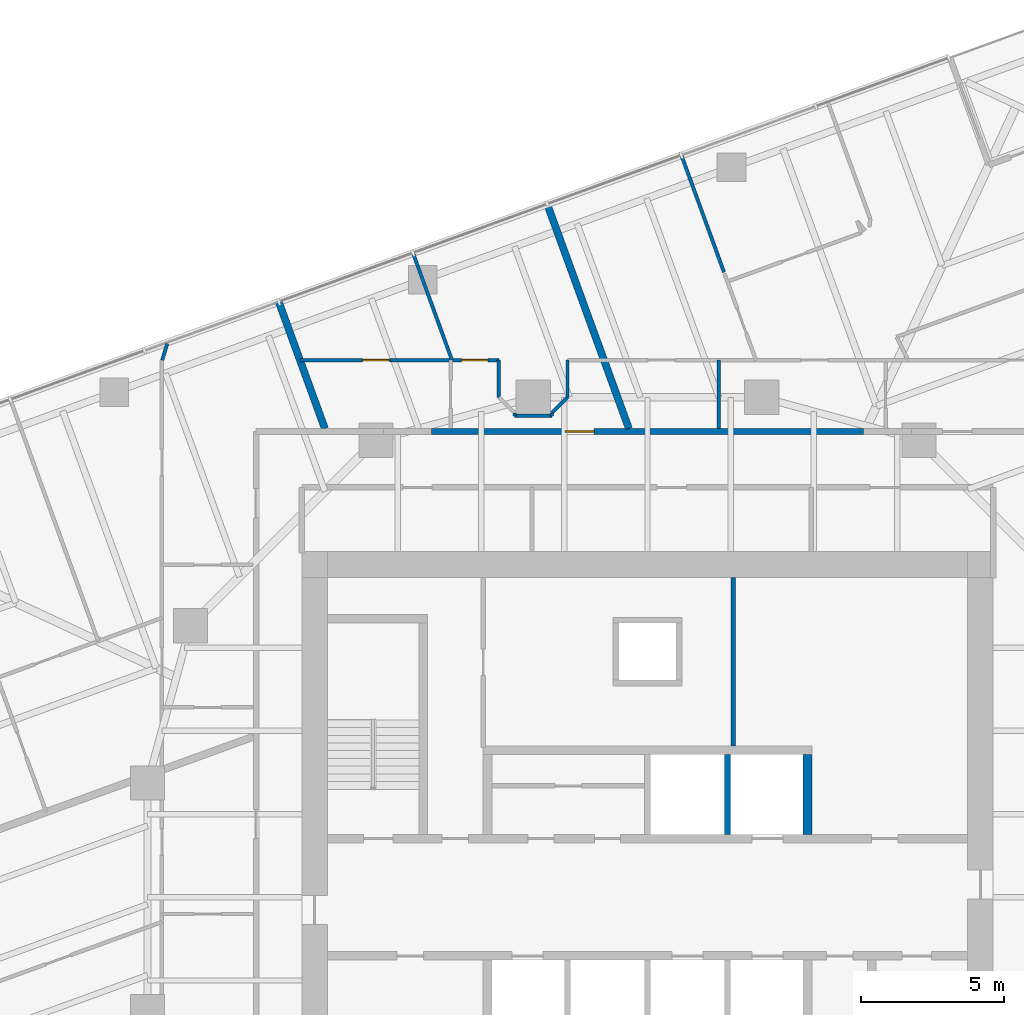
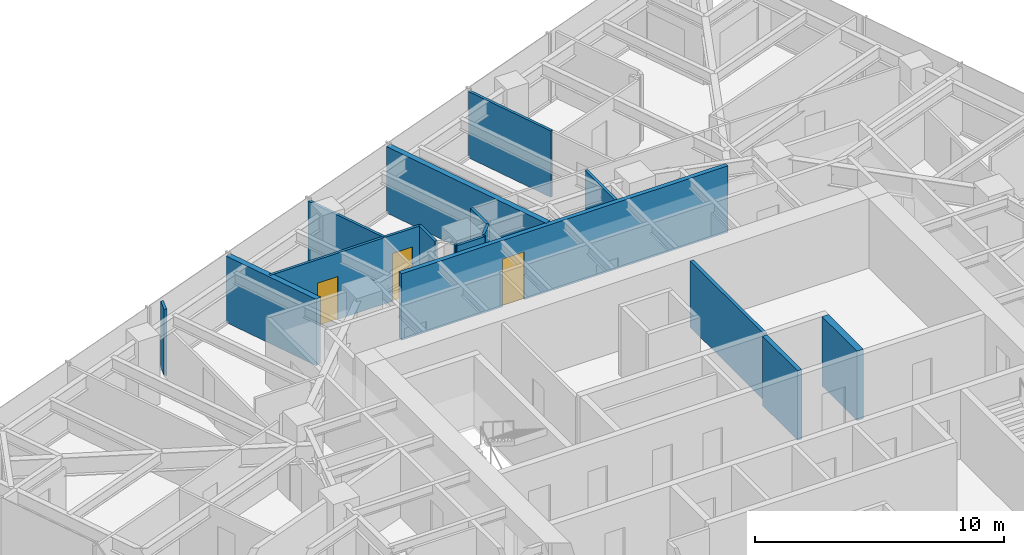
# One storey, part 11 of 13: 17 walls, 3 doors, 3 openings.
"""IFC4 building model written with IfcOpenShell, lengths in metres."""

import ifcopenshell
import ifcopenshell.guid

model = None  # the IFC model being written
_history = None  # IfcOwnerHistory: only IFC2X3 demands one
_inside = {}  # id of a spatial element -> (the spatial element, [elements in it])
_under = {}  # id of a project, library or spatial element -> (it, [spatial elements below it])
_declared = {}  # id of a project -> (the project, [libraries it declares])
_typed = {}  # id of a type object -> (the type object, [elements of that type])
_made_of = {}  # id of a material, layer set ... -> (it, [elements and type objects made of it])


def new_model(schema):
    """Start an empty IFC model of exactly this schema.

    Asked for "IFC4X3", IfcOpenShell would pick the latest addendum, in which some entities
    have other attributes; the version numbers below select the first issue.
    IFC2X3 requires an IfcOwnerHistory on every rooted entity: one is made here for all.
    """
    global model, _history
    if schema == "IFC4X3":
        model = ifcopenshell.file(schema_version=(4, 3, 0, 0))
    else:
        model = ifcopenshell.file(schema=schema)
    _inside.clear()
    _under.clear()
    _declared.clear()
    _typed.clear()
    _made_of.clear()
    _history = None
    if model.schema == "IFC2X3":
        org = make("IfcOrganization", Name="unknown")
        user = make(
            "IfcPersonAndOrganization",
            ThePerson=make("IfcPerson", FamilyName="unknown"),
            TheOrganization=org,
        )
        app = make(
            "IfcApplication",
            ApplicationDeveloper=org,
            Version="unknown",
            ApplicationFullName="unknown",
            ApplicationIdentifier="unknown",
        )
        _history = make(
            "IfcOwnerHistory",
            OwningUser=user,
            OwningApplication=app,
            ChangeAction="ADDED",
            CreationDate=0,
        )
    return model


def make(cls, **values):
    """One entity of the class cls with the attributes given. An attribute that is None is left unset."""
    return model.create_entity(
        cls, **{name: value for name, value in values.items() if value is not None}
    )


def rooted(cls, **values):
    """An entity with a GlobalId (a new one), such as an element, a storey or a relation."""
    return make(cls, GlobalId=ifcopenshell.guid.new(), OwnerHistory=_history, **values)


def si_unit(unit_type, name, prefix=None):
    """IfcSIUnit, for example si_unit("LENGTHUNIT", "METRE", prefix="MILLI")."""
    return make("IfcSIUnit", UnitType=unit_type, Prefix=prefix, Name=name)


def assignment(units):
    """IfcUnitAssignment: the units of a project."""
    return None if units is None else make("IfcUnitAssignment", Units=units)


def point(xyz):
    """IfcCartesianPoint."""
    return None if xyz is None else make("IfcCartesianPoint", Coordinates=xyz)


def direction(xyz):
    """IfcDirection."""
    return None if xyz is None else make("IfcDirection", DirectionRatios=xyz)


def frame(location, z_axis=None, x_axis=None):
    """IfcAxis2Placement3D, a coordinate frame: its origin and axes. An axis left out is left unset."""
    return make(
        "IfcAxis2Placement3D",
        Location=point(location),
        Axis=direction(z_axis),
        RefDirection=direction(x_axis),
    )


def frame_2d(location, x_axis=None):
    """IfcAxis2Placement2D, a coordinate frame in the plane: its origin and x axis."""
    return make(
        "IfcAxis2Placement2D", Location=point(location), RefDirection=direction(x_axis)
    )


def origin():
    """The frame at (0, 0, 0) with its axes left unset."""
    return frame((0.0, 0.0, 0.0))


def place(relative_to, where):
    """IfcLocalPlacement: puts the frame where relative to a parent placement (None: the world)."""
    return make(
        "IfcLocalPlacement", PlacementRelTo=relative_to, RelativePlacement=where
    )


def context(
    kind, dimensions, precision=None, world=None, true_north=None, identifier=None
):
    """IfcGeometricRepresentationContext, for example the 3D "Model" context."""
    return make(
        "IfcGeometricRepresentationContext",
        ContextIdentifier=identifier,
        ContextType=kind,
        CoordinateSpaceDimension=dimensions,
        Precision=precision,
        WorldCoordinateSystem=world,
        TrueNorth=true_north,
    )


def subcontext(parent, identifier, kind, view, scale=None):
    """IfcGeometricRepresentationSubContext, for example "Body" below "Model"."""
    return make(
        "IfcGeometricRepresentationSubContext",
        ContextIdentifier=identifier,
        ContextType=kind,
        ParentContext=parent,
        TargetScale=scale,
        TargetView=view,
    )


def project(units=None, contexts=None):
    """IfcProject with its units and contexts."""
    return rooted(
        "IfcProject",
        Name="project",
        RepresentationContexts=contexts,
        UnitsInContext=assignment(units),
    )


def spatial(cls, under=None, at=None, **own):
    """A site, building, storey or space (cls), placed at a placement, below another one or the project."""
    s = rooted(cls, ObjectPlacement=at, **own)
    if under is not None:
        _under.setdefault(under.id(), (under, []))[1].append(s)
    return s


def profile(cls, at=None, kind="AREA", **sizes):
    """A parametric profile (cls). Its sizes go by their IFC names, for example OverallWidth=200.0."""
    return make(cls, ProfileType=kind, Position=at, **sizes)


def rectangle(**sizes):
    """IfcRectangleProfileDef."""
    return profile("IfcRectangleProfileDef", **sizes)


def extrude(swept, where, along, depth):
    """IfcExtrudedAreaSolid: the profile swept, set in the frame where, extruded along a direction by depth."""
    return make(
        "IfcExtrudedAreaSolid",
        SweptArea=swept,
        Position=where,
        ExtrudedDirection=direction(along),
        Depth=depth,
    )


def shape(context_of_items, identifier, shape_type, items):
    """IfcShapeRepresentation: the items that make up one representation, for example the "Body"."""
    return make(
        "IfcShapeRepresentation",
        ContextOfItems=context_of_items,
        RepresentationIdentifier=identifier,
        RepresentationType=shape_type,
        Items=items,
    )


def material(Name=None, Category=None):
    """IfcMaterial."""
    return make("IfcMaterial", Name=Name, Category=Category)


def layer(
    of_material, thickness, ventilated=None, Name=None, Category=None, Priority=None
):
    """IfcMaterialLayer: one layer of a wall or slab, of a material (None: an air gap)."""
    return make(
        "IfcMaterialLayer",
        Material=of_material,
        LayerThickness=thickness,
        IsVentilated=ventilated,
        Name=Name,
        Category=Category,
        Priority=Priority,
    )


def layer_set(layers, Name=None):
    """IfcMaterialLayerSet."""
    return make("IfcMaterialLayerSet", MaterialLayers=layers, LayerSetName=Name)


def made_of(thing, what):
    """Note that an element or type object is made of a material, layer set ...; save() writes the relation."""
    if what is not None:
        _made_of.setdefault(what.id(), (what, []))[1].append(thing)
    return thing


def type_object(cls, material=None, **own):
    """A type object (cls), such as IfcWallType, which elements share."""
    return made_of(rooted(cls, **own), material)


def element(
    cls,
    number,
    at=None,
    inside=None,
    cuts=None,
    type_object=None,
    material=None,
    context=None,
    identifier="Body",
    shape_type=None,
    held_by="IfcProductDefinitionShape",
    body=None,
    shapes=None,
    **own,
):
    """One element of the class cls, such as IfcWall. Its Tag is "e" and its number.

    at: its placement. inside: the storey or other place that contains it. cuts: it is an
    opening in that element (IfcRelVoidsElement). A single representation is given by context,
    identifier, shape_type and body (its items); several are given by shapes. held_by: the class
    of the entity that holds the representations. save() writes the other relations.
    """
    e = rooted(cls, Tag="e%d" % number, ObjectPlacement=at, **own)
    if body is not None:
        shapes = [shape(context, identifier, shape_type, body)]
    if shapes is not None:
        e.Representation = make(held_by, Representations=shapes)
    if inside is not None:
        _inside.setdefault(inside.id(), (inside, []))[1].append(e)
    if cuts is not None:
        rooted(
            "IfcRelVoidsElement", RelatingBuildingElement=cuts, RelatedOpeningElement=e
        )
    if type_object is not None:
        _typed.setdefault(type_object.id(), (type_object, []))[1].append(e)
    return made_of(e, material)


def fill(opening, filler):
    """IfcRelFillsElement: the door or window that sits in an opening."""
    return rooted(
        "IfcRelFillsElement",
        RelatingOpeningElement=opening,
        RelatedBuildingElement=filler,
    )


def aggregate(whole, parts):
    """IfcRelAggregates: a whole, such as a stair, and the parts it consists of."""
    return rooted("IfcRelAggregates", RelatingObject=whole, RelatedObjects=parts)


def save(model, path):
    """Write the relations noted so far, then the file.

    IfcRelAggregates (storeys below a building ...), IfcRelContainedInSpatialStructure (elements
    in a storey), IfcRelDefinesByType, IfcRelAssociatesMaterial and IfcRelDeclares: one each for
    every whole, place, type object, material and project.
    """
    for whole, parts in _under.values():
        aggregate(whole, parts)
    for where, things in _inside.values():
        rooted(
            "IfcRelContainedInSpatialStructure",
            RelatedElements=things,
            RelatingStructure=where,
        )
    for kind, things in _typed.values():
        rooted("IfcRelDefinesByType", RelatedObjects=things, RelatingType=kind)
    for what, things in _made_of.values():
        rooted("IfcRelAssociatesMaterial", RelatedObjects=things, RelatingMaterial=what)
    for by, libraries in _declared.values():
        rooted("IfcRelDeclares", RelatingContext=by, RelatedDefinitions=libraries)
    model.write(path)


model = new_model("IFC4")

# Units and contexts
model_context = context("Model", 3, precision=1e-05, world=origin(), true_north=direction((0.0, 1.0)))
body_context = subcontext(model_context, "Body", "Model", "MODEL_VIEW")
ifc_project = project(units=[si_unit("LENGTHUNIT", "METRE"), si_unit("AREAUNIT", "SQUARE_METRE"), si_unit("VOLUMEUNIT", "CUBIC_METRE"), si_unit("PLANEANGLEUNIT", "RADIAN"), si_unit("MASSUNIT", "GRAM", prefix="KILO")], contexts=[model_context])

# Site, building, storey
site_placement = place(None, origin())
site = spatial("IfcSite", under=ifc_project, at=site_placement, CompositionType="ELEMENT")
building_placement = place(site_placement, origin())
building = spatial("IfcBuilding", under=site, at=building_placement, Name="Torsade Residences", CompositionType="ELEMENT")
storey_placement = place(building_placement, frame((0.0, 0.0, 150.60009765625)))
storey = spatial("IfcBuildingStorey", under=building, at=storey_placement, Name="L41", CompositionType="ELEMENT", Elevation=150.60009765625)

# Wall
ifc_material_1 = material(Name="Concrete 80 MPa", Category="concrete")
ifc_layer_1 = layer(ifc_material_1, 0.300048828125)
ifc_layer_set_1 = layer_set([ifc_layer_1], Name="Concrete 80 MPa")
wall_type_1 = type_object("IfcWallType", Name="CORE INTERNAL WALL 300", PredefinedType="SHEAR", material=ifc_layer_set_1)
wall_1_placement = place(storey_placement, frame((45.60009765625, 32.199951171875, 0.0), z_axis=(0.0, 0.0, 1.0), x_axis=(0.0, 1.0, 0.0)))
element("IfcWall", 1, at=wall_1_placement, inside=storey, type_object=wall_type_1, Name="Core wall DN4 L41", PredefinedType="SHEAR", context=body_context, shape_type="SweptSolid", body=[
    extrude(rectangle(XDim=2.800048828125, YDim=0.300048828125, at=frame_2d((1.39990234375, 0.0))), origin(), (0.0, 0.0, 1.0), 3.39990234375),
])

# Wall, opening, door
ifc_material_2 = material(Name="Plasterboard on steel stud", Category="steel")
ifc_layer_2 = layer(ifc_material_2, 0.199951171875)
ifc_layer_set_2 = layer_set([ifc_layer_2], Name="Plasterboard on steel stud")
wall_type_2 = type_object("IfcWallType", Name="CORRIDOR WALL 200", PredefinedType="PARTITIONING", material=ifc_layer_set_2)
wall_2_placement = place(storey_placement, frame((47.558349609375, 46.300048828125, 0.0), z_axis=(0.0, 0.0, 1.0), x_axis=(-1.0, 0.0, 0.0)))
wall_2 = element("IfcWall", 2, at=wall_2_placement, inside=storey, type_object=wall_type_2, Name="Corridor wall L41", PredefinedType="PARTITIONING", context=body_context, shape_type="SweptSolid", body=[
    extrude(rectangle(XDim=15.11669921875, YDim=0.199951171875, at=frame_2d((7.558349609375, 0.0))), origin(), (0.0, 0.0, 1.0), 3.25),
])
opening_1_placement = place(wall_2_placement, frame((9.42236328125, 0.0, 0.0)))
opening_1 = element("IfcOpeningElement", 3, at=opening_1_placement, cuts=wall_2, Name="Opening D01", PredefinedType="OPENING", context=body_context, shape_type="SweptSolid", body=[
    extrude(rectangle(XDim=1.02001953125, YDim=2.340087890625, at=frame_2d((0.510009765625, 1.169921875))), frame((0.0, 0.10986328125, 0.0), z_axis=(0.0, -1.0, 0.0), x_axis=(1.0, 0.0, 0.0)), (0.0, 0.0, 1.0), 0.219970703125),
])
ifc_material_3 = material(Name="Solid-core timber fire door", Category="wood")
door_type_1 = type_object("IfcDoorType", Name="APARTMENT ENTRY DOOR 1020x2340", OperationType="NOTDEFINED", PredefinedType="DOOR", material=ifc_material_3)
door_1_placement = place(opening_1_placement, origin())
door_1 = element("IfcDoor", 4, at=door_1_placement, inside=storey, type_object=door_type_1, Name="Door Residential corridor to Kitchen and dining", OperationType="SINGLE_SWING_RIGHT", OverallHeight=2.340087890625, OverallWidth=1.02001953125, PredefinedType="DOOR", context=body_context, shape_type="SweptSolid", body=[
    extrude(rectangle(XDim=1.02001953125, YDim=2.340087890625, at=frame_2d((0.510009765625, 1.169921875))), frame((0.0, 0.02490234375, 0.0), z_axis=(0.0, -1.0, 0.0), x_axis=(1.0, 0.0, 0.0)), (0.0, 0.0, 1.0), 0.050048828125),
])
fill(opening_1, door_1)

# Walls
ifc_material_4 = material(Name="Reinforced blockwork", Category="masonry")
ifc_layer_3 = layer(ifc_material_4, 0.199951171875)
ifc_layer_set_3 = layer_set([ifc_layer_3], Name="Reinforced blockwork")
wall_type_3 = type_object("IfcWallType", Name="LIFT SHAFT DIVIDING WALL 200", PredefinedType="SOLIDWALL", material=ifc_layer_set_3)
wall_3_placement = place(storey_placement, frame((42.800048828125, 32.199951171875, 0.0), z_axis=(0.0, 0.0, 1.0), x_axis=(0.0, 1.0, 0.0)))
element("IfcWall", 5, at=wall_3_placement, inside=storey, type_object=wall_type_3, Name="Core wall DN3 L41", PredefinedType="SOLIDWALL", context=body_context, shape_type="SweptSolid", body=[
    extrude(rectangle(XDim=2.800048828125, YDim=0.199951171875, at=frame_2d((1.39990234375, 0.0))), origin(), (0.0, 0.0, 1.0), 3.39990234375),
])
ifc_material_5 = material(Name="Plasterboard on steel stud", Category="steel")
ifc_layer_4 = layer(ifc_material_5, 0.1201171875)
ifc_layer_set_4 = layer_set([ifc_layer_4], Name="Plasterboard on steel stud")
wall_type_4 = type_object("IfcWallType", Name="PARTITION 120", PredefinedType="PARTITIONING", material=ifc_layer_set_4)
wall_4_placement = place(storey_placement, frame((42.501220703125, 46.39990234375, 0.0), z_axis=(0.0, 0.0, 1.0), x_axis=(0.0, 1.0, 0.0)))
element("IfcWall", 6, at=wall_4_placement, inside=storey, type_object=wall_type_4, Name="Partition L41", PredefinedType="PARTITIONING", context=body_context, shape_type="SweptSolid", body=[
    extrude(rectangle(XDim=2.400146484375, YDim=0.1201171875, at=frame_2d((1.2001953125, 0.0))), origin(), (0.0, 0.0, 1.0), 3.25),
])
wall_5_placement = place(storey_placement, frame((41.2021484375, 55.935302734375, 0.0), z_axis=(0.0, 0.0, 1.0), x_axis=(0.341992887332, -0.939702540709, 0.0)))
element("IfcWall", 7, at=wall_5_placement, inside=storey, type_object=wall_type_4, Name="Partition L41", PredefinedType="PARTITIONING", context=body_context, shape_type="SweptSolid", body=[
    extrude(rectangle(XDim=4.3154296875, YDim=0.1201171875, at=frame_2d((2.15771484375, 0.0))), origin(), (0.0, 0.0, 1.0), 3.25),
])

# Wall, openings, doors
wall_6_placement = place(storey_placement, frame((27.83642578125, 48.800048828125, 0.0), z_axis=(0.0, 0.0, 1.0), x_axis=(1.0, 0.0, 0.0)))
wall_6 = element("IfcWall", 8, at=wall_6_placement, inside=storey, type_object=wall_type_4, Name="Partition L41", PredefinedType="PARTITIONING", context=body_context, shape_type="SweptSolid", body=[
    extrude(rectangle(XDim=6.963623046875, YDim=0.1201171875, at=frame_2d((3.48193359375, 0.0))), origin(), (0.0, 0.0, 1.0), 3.25),
])
opening_2_placement = place(wall_6_placement, frame((5.6591796875, 0.0, 0.0)))
opening_2 = element("IfcOpeningElement", 9, at=opening_2_placement, cuts=wall_6, Name="Opening D02", PredefinedType="OPENING", context=body_context, shape_type="SweptSolid", body=[
    extrude(rectangle(XDim=0.919921875, YDim=2.340087890625, at=frame_2d((0.4599609375, 1.169921875))), frame((0.0, 0.070068359375, 0.0), z_axis=(0.0, -1.0, 0.0), x_axis=(1.0, 0.0, 0.0)), (0.0, 0.0, 1.0), 0.14013671875),
])
opening_3_placement = place(wall_6_placement, frame((2.180419921875, 0.0, 0.0)))
opening_3 = element("IfcOpeningElement", 10, at=opening_3_placement, cuts=wall_6, Name="Opening D05", PredefinedType="OPENING", context=body_context, shape_type="SweptSolid", body=[
    extrude(rectangle(XDim=0.9599609375, YDim=2.10009765625, at=frame_2d((0.47998046875, 1.050048828125))), frame((0.0, 0.070068359375, 0.0), z_axis=(0.0, -1.0, 0.0), x_axis=(1.0, 0.0, 0.0)), (0.0, 0.0, 1.0), 0.14013671875),
])
ifc_material_6 = material(Name="Hollow-core timber door in a steel cavity frame", Category="steel")
door_type_2 = type_object("IfcDoorType", Name="BATHROOM CAVITY SLIDING DOOR 960", OperationType="SLIDING_TO_LEFT", PredefinedType="DOOR", material=ifc_material_6)
door_2_placement = place(opening_3_placement, origin())
door_2 = element("IfcDoor", 11, at=door_2_placement, inside=storey, type_object=door_type_2, Name="Door Bathroom to Bedroom 1", OperationType="SLIDING_TO_LEFT", OverallHeight=2.10009765625, OverallWidth=0.9599609375, PredefinedType="DOOR", context=body_context, shape_type="SweptSolid", body=[
    extrude(rectangle(XDim=0.9599609375, YDim=2.10009765625, at=frame_2d((0.47998046875, 1.050048828125))), frame((0.0, 0.02490234375, 0.0), z_axis=(0.0, -1.0, 0.0), x_axis=(1.0, 0.0, 0.0)), (0.0, 0.0, 1.0), 0.050048828125),
])
fill(opening_3, door_2)
ifc_material_7 = material(Name="Hollow-core timber door", Category="wood")
door_type_3 = type_object("IfcDoorType", Name="INTERNAL DOOR 920x2340", OperationType="NOTDEFINED", PredefinedType="DOOR", material=ifc_material_7)
door_3_placement = place(opening_2_placement, origin())
door_3 = element("IfcDoor", 12, at=door_3_placement, inside=storey, type_object=door_type_3, Name="Door Kitchen and dining to Living room", OperationType="SINGLE_SWING_LEFT", OverallHeight=2.340087890625, OverallWidth=0.919921875, PredefinedType="DOOR", context=body_context, shape_type="SweptSolid", body=[
    extrude(rectangle(XDim=0.919921875, YDim=2.340087890625, at=frame_2d((0.4599609375, 1.169921875))), frame((0.0, 0.02490234375, 0.0), z_axis=(0.0, -1.0, 0.0), x_axis=(1.0, 0.0, 0.0)), (0.0, 0.0, 1.0), 0.050048828125),
])
fill(opening_2, door_3)

# Walls
wall_7_placement = place(storey_placement, frame((34.800048828125, 48.800048828125, 0.0), z_axis=(0.0, 0.0, 1.0), x_axis=(0.0, -1.0, 0.0)))
element("IfcWall", 13, at=wall_7_placement, inside=storey, type_object=wall_type_4, Name="Partition L41", PredefinedType="PARTITIONING", context=body_context, shape_type="SweptSolid", body=[
    extrude(rectangle(XDim=1.300048828125, YDim=0.1201171875, at=frame_2d((0.64990234375, 0.0))), origin(), (0.0, 0.0, 1.0), 3.25),
])
wall_8_placement = place(storey_placement, frame((35.35009765625, 46.85009765625, 0.0), z_axis=(0.0, 0.0, 1.0), x_axis=(1.0, 0.0, 0.0)))
element("IfcWall", 14, at=wall_8_placement, inside=storey, type_object=wall_type_4, Name="Partition L41", PredefinedType="PARTITIONING", context=body_context, shape_type="SweptSolid", body=[
    extrude(rectangle(XDim=1.2998046875, YDim=0.1201171875, at=frame_2d((0.64990234375, 0.0))), origin(), (0.0, 0.0, 1.0), 3.25),
])
wall_9_placement = place(storey_placement, frame((36.64990234375, 46.949951171875, 0.0), z_axis=(0.0, 0.0, 1.0), x_axis=(0.707106781187, 0.707106781187, 0.0)))
element("IfcWall", 15, at=wall_9_placement, inside=storey, type_object=wall_type_4, Name="Partition L41", PredefinedType="PARTITIONING", context=body_context, shape_type="SweptSolid", body=[
    extrude(rectangle(XDim=0.77783203125, YDim=0.1201171875, at=frame_2d((0.388916015625, 0.0))), origin(), (0.0, 0.0, 1.0), 3.25),
])
wall_10_placement = place(storey_placement, frame((37.199951171875, 47.5, 0.0), z_axis=(0.0, 0.0, 1.0), x_axis=(0.0, 1.0, 0.0)))
element("IfcWall", 16, at=wall_10_placement, inside=storey, type_object=wall_type_4, Name="Partition L41", PredefinedType="PARTITIONING", context=body_context, shape_type="SweptSolid", body=[
    extrude(rectangle(XDim=1.300048828125, YDim=0.1201171875, at=frame_2d((0.64990234375, 0.0))), origin(), (0.0, 0.0, 1.0), 3.25),
])
wall_11_placement = place(storey_placement, frame((33.1572265625, 48.800048828125, 0.0), z_axis=(0.0, 0.0, 1.0), x_axis=(-0.341990966768, 0.939703239672, 0.0)))
element("IfcWall", 17, at=wall_11_placement, inside=storey, type_object=wall_type_4, Name="Partition L41", PredefinedType="PARTITIONING", context=body_context, shape_type="SweptSolid", body=[
    extrude(rectangle(XDim=3.953369140625, YDim=0.1201171875, at=frame_2d((1.9765625, 0.0))), origin(), (0.0, 0.0, 1.0), 3.25),
])
wall_12_placement = place(storey_placement, frame((23.013427734375, 48.800048828125, 0.0), z_axis=(0.0, 0.0, 1.0), x_axis=(0.290455219909, 0.956888585588, 0.0)))
element("IfcWall", 18, at=wall_12_placement, inside=storey, type_object=wall_type_4, Name="Partition L41", PredefinedType="PARTITIONING", context=body_context, shape_type="SweptSolid", body=[
    extrude(rectangle(XDim=0.605224609375, YDim=0.1201171875, at=frame_2d((0.302734375, 0.0))), origin(), (0.0, 0.0, 1.0), 3.25),
])
for number, where, z_axis, x_axis, name in (
    (19, (35.35009765625, 46.85009765625, 0.0), (0.0, 0.0, 1.0), (0.0, 1.0, 0.0), "Partition L41"),
    (20, (36.64990234375, 46.85009765625, 0.0), (0.0, 0.0, 1.0), (0.0, 1.0, 0.0), "Partition L41"),
):
    element("IfcWall", number, at=place(storey_placement, frame(where, z_axis=z_axis, x_axis=x_axis)), inside=storey, type_object=wall_type_4, Name=name, PredefinedType="PARTITIONING", context=body_context, shape_type="SweptSolid", body=[
        extrude(rectangle(XDim=0.099853515625, YDim=0.1201171875, at=frame_2d((0.0498046875, 0.0))), origin(), (0.0, 0.0, 1.0), 3.25),
    ])
ifc_material_8 = material(Name="Masonry-lined stud party wall", Category="masonry")
ifc_layer_5 = layer(ifc_material_8, 0.25)
ifc_layer_set_5 = layer_set([ifc_layer_5], Name="Masonry-lined stud party wall")
wall_type_5 = type_object("IfcWallType", Name="PARTY WALL 250", PredefinedType="PARTITIONING", material=ifc_layer_set_5)
wall_13_placement = place(storey_placement, frame((36.489990234375, 54.2626953125, 0.0), z_axis=(0.0, 0.0, 1.0), x_axis=(0.342019678743, -0.93969278988, 0.0)))
element("IfcWall", 21, at=wall_13_placement, inside=storey, type_object=wall_type_5, Name="Party wall L41", PredefinedType="PARTITIONING", context=body_context, shape_type="SweptSolid", body=[
    extrude(rectangle(XDim=8.361572265625, YDim=0.25, at=frame_2d((4.1806640625, 0.0))), origin(), (0.0, 0.0, 1.0), 3.25),
])
wall_14_placement = place(storey_placement, frame((27.093017578125, 50.842529296875, 0.0), z_axis=(0.0, 0.0, 1.0), x_axis=(0.342012883883, -0.939695262975, 0.0)))
element("IfcWall", 22, at=wall_14_placement, inside=storey, type_object=wall_type_5, Name="Party wall L41", PredefinedType="PARTITIONING", context=body_context, shape_type="SweptSolid", body=[
    extrude(rectangle(XDim=4.721923828125, YDim=0.25, at=frame_2d((2.36083984375, 0.0))), origin(), (0.0, 0.0, 1.0), 3.25),
])
ifc_material_9 = material(Name="Reinforced blockwork", Category="masonry")
ifc_layer_6 = layer(ifc_material_9, 0.14990234375)
ifc_layer_set_6 = layer_set([ifc_layer_6], Name="Reinforced blockwork")
wall_type_6 = type_object("IfcWallType", Name="SERVICE ROOM WALL 150", PredefinedType="SOLIDWALL", material=ifc_layer_set_6)
wall_15_placement = place(storey_placement, frame((43.0, 41.199951171875, 0.0), z_axis=(0.0, 0.0, 1.0), x_axis=(0.0, -1.0, 0.0)))
element("IfcWall", 23, at=wall_15_placement, inside=storey, type_object=wall_type_6, Name="Service room wall L41", PredefinedType="SOLIDWALL", context=body_context, shape_type="SweptSolid", body=[
    extrude(rectangle(XDim=5.89990234375, YDim=0.14990234375, at=frame_2d((2.949951171875, 0.0))), origin(), (0.0, 0.0, 1.0), 3.25),
])

save(model, "model.ifc")
